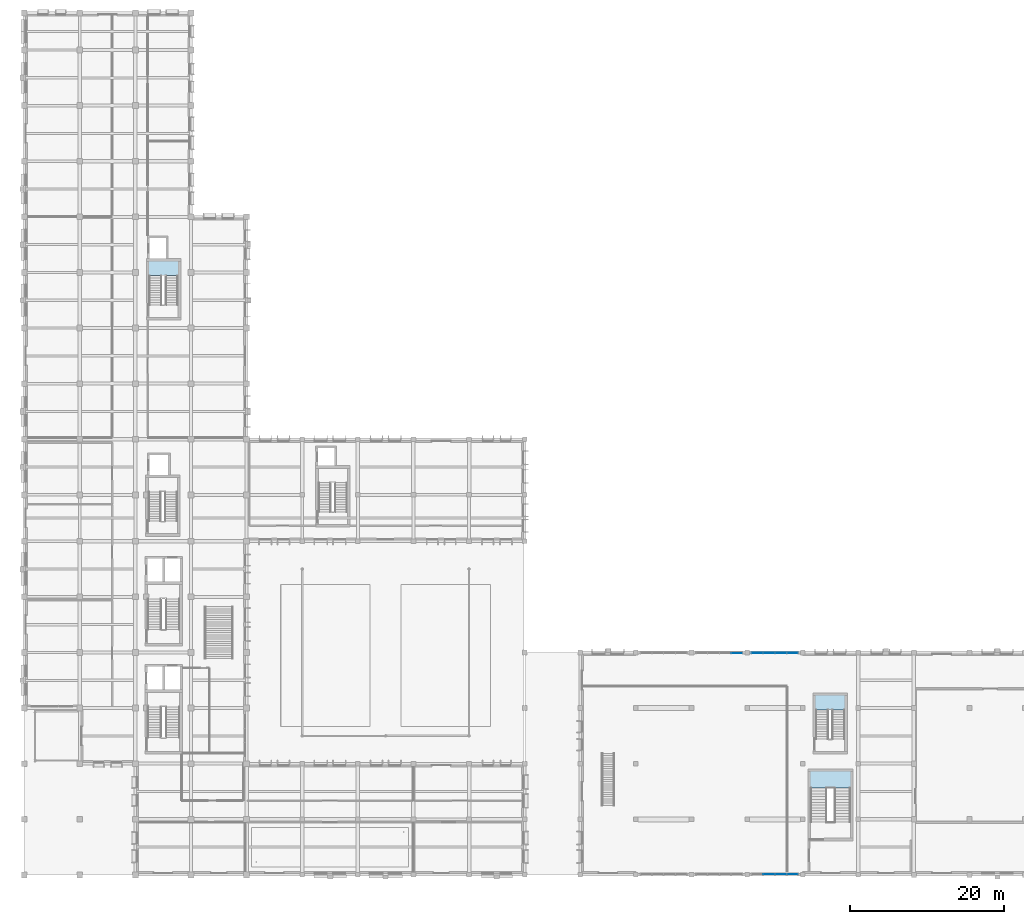
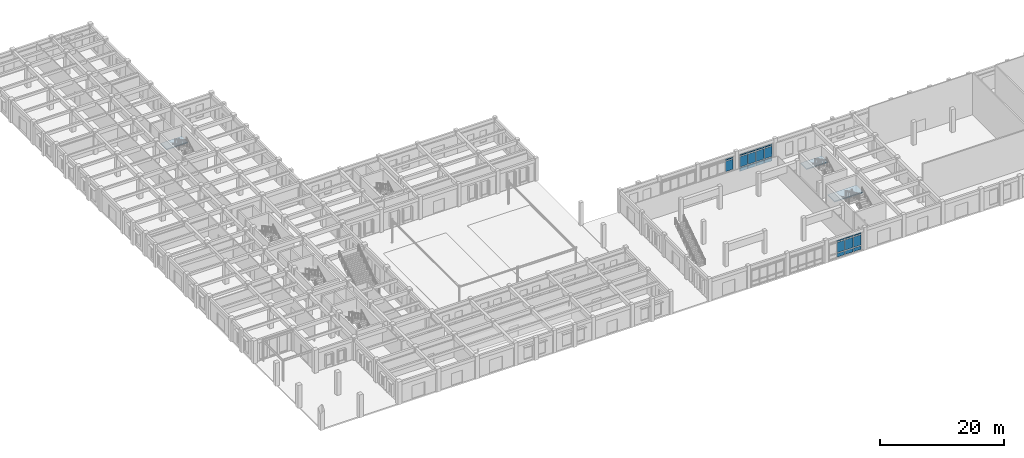
# One storey, part 17 of 43: 23 plates, 3 slabs, 6 elements without a shape of their own.
"""IFC4 building model written with IfcOpenShell, lengths in metres."""

import ifcopenshell
import ifcopenshell.guid

model = None  # the IFC model being written
_history = None  # IfcOwnerHistory: only IFC2X3 demands one
_inside = {}  # id of a spatial element -> (the spatial element, [elements in it])
_under = {}  # id of a project, library or spatial element -> (it, [spatial elements below it])
_declared = {}  # id of a project -> (the project, [libraries it declares])
_typed = {}  # id of a type object -> (the type object, [elements of that type])
_made_of = {}  # id of a material, layer set ... -> (it, [elements and type objects made of it])


def new_model(schema):
    """Start an empty IFC model of exactly this schema.

    Asked for "IFC4X3", IfcOpenShell would pick the latest addendum, in which some entities
    have other attributes; the version numbers below select the first issue.
    IFC2X3 requires an IfcOwnerHistory on every rooted entity: one is made here for all.
    """
    global model, _history
    if schema == "IFC4X3":
        model = ifcopenshell.file(schema_version=(4, 3, 0, 0))
    else:
        model = ifcopenshell.file(schema=schema)
    _inside.clear()
    _under.clear()
    _declared.clear()
    _typed.clear()
    _made_of.clear()
    _history = None
    if model.schema == "IFC2X3":
        org = make("IfcOrganization", Name="unknown")
        user = make(
            "IfcPersonAndOrganization",
            ThePerson=make("IfcPerson", FamilyName="unknown"),
            TheOrganization=org,
        )
        app = make(
            "IfcApplication",
            ApplicationDeveloper=org,
            Version="unknown",
            ApplicationFullName="unknown",
            ApplicationIdentifier="unknown",
        )
        _history = make(
            "IfcOwnerHistory",
            OwningUser=user,
            OwningApplication=app,
            ChangeAction="ADDED",
            CreationDate=0,
        )
    return model


def make(cls, **values):
    """One entity of the class cls with the attributes given. An attribute that is None is left unset."""
    return model.create_entity(
        cls, **{name: value for name, value in values.items() if value is not None}
    )


def rooted(cls, **values):
    """An entity with a GlobalId (a new one), such as an element, a storey or a relation."""
    return make(cls, GlobalId=ifcopenshell.guid.new(), OwnerHistory=_history, **values)


def si_unit(unit_type, name, prefix=None):
    """IfcSIUnit, for example si_unit("LENGTHUNIT", "METRE", prefix="MILLI")."""
    return make("IfcSIUnit", UnitType=unit_type, Prefix=prefix, Name=name)


def assignment(units):
    """IfcUnitAssignment: the units of a project."""
    return None if units is None else make("IfcUnitAssignment", Units=units)


def point(xyz):
    """IfcCartesianPoint."""
    return None if xyz is None else make("IfcCartesianPoint", Coordinates=xyz)


def direction(xyz):
    """IfcDirection."""
    return None if xyz is None else make("IfcDirection", DirectionRatios=xyz)


def frame(location, z_axis=None, x_axis=None):
    """IfcAxis2Placement3D, a coordinate frame: its origin and axes. An axis left out is left unset."""
    return make(
        "IfcAxis2Placement3D",
        Location=point(location),
        Axis=direction(z_axis),
        RefDirection=direction(x_axis),
    )


def frame_2d(location, x_axis=None):
    """IfcAxis2Placement2D, a coordinate frame in the plane: its origin and x axis."""
    return make(
        "IfcAxis2Placement2D", Location=point(location), RefDirection=direction(x_axis)
    )


def origin():
    """The frame at (0, 0, 0) with its axes left unset."""
    return frame((0.0, 0.0, 0.0))


def origin_2d():
    """The frame at (0, 0) in the plane with its x axis left unset."""
    return frame_2d((0.0, 0.0))


def place(relative_to, where):
    """IfcLocalPlacement: puts the frame where relative to a parent placement (None: the world)."""
    return make(
        "IfcLocalPlacement", PlacementRelTo=relative_to, RelativePlacement=where
    )


def context(
    kind, dimensions, precision=None, world=None, true_north=None, identifier=None
):
    """IfcGeometricRepresentationContext, for example the 3D "Model" context."""
    return make(
        "IfcGeometricRepresentationContext",
        ContextIdentifier=identifier,
        ContextType=kind,
        CoordinateSpaceDimension=dimensions,
        Precision=precision,
        WorldCoordinateSystem=world,
        TrueNorth=true_north,
    )


def subcontext(parent, identifier, kind, view, scale=None):
    """IfcGeometricRepresentationSubContext, for example "Body" below "Model"."""
    return make(
        "IfcGeometricRepresentationSubContext",
        ContextIdentifier=identifier,
        ContextType=kind,
        ParentContext=parent,
        TargetScale=scale,
        TargetView=view,
    )


def project(units=None, contexts=None):
    """IfcProject with its units and contexts."""
    return rooted(
        "IfcProject",
        Name="project",
        RepresentationContexts=contexts,
        UnitsInContext=assignment(units),
    )


def spatial(cls, under=None, at=None, **own):
    """A site, building, storey or space (cls), placed at a placement, below another one or the project."""
    s = rooted(cls, ObjectPlacement=at, **own)
    if under is not None:
        _under.setdefault(under.id(), (under, []))[1].append(s)
    return s


def polyline(points):
    """IfcPolyline through the points."""
    return make("IfcPolyline", Points=[point(p) for p in points])


def profile(cls, at=None, kind="AREA", **sizes):
    """A parametric profile (cls). Its sizes go by their IFC names, for example OverallWidth=200.0."""
    return make(cls, ProfileType=kind, Position=at, **sizes)


def rectangle(**sizes):
    """IfcRectangleProfileDef."""
    return profile("IfcRectangleProfileDef", **sizes)


def outline(outer, holes=None, kind="AREA"):
    """IfcArbitraryClosedProfileDef: a profile drawn as a closed curve; with holes, ...WithVoids."""
    if holes is None:
        return make("IfcArbitraryClosedProfileDef", ProfileType=kind, OuterCurve=outer)
    return make(
        "IfcArbitraryProfileDefWithVoids",
        ProfileType=kind,
        OuterCurve=outer,
        InnerCurves=holes,
    )


def extrude(swept, where, along, depth):
    """IfcExtrudedAreaSolid: the profile swept, set in the frame where, extruded along a direction by depth."""
    return make(
        "IfcExtrudedAreaSolid",
        SweptArea=swept,
        Position=where,
        ExtrudedDirection=direction(along),
        Depth=depth,
    )


def shape(context_of_items, identifier, shape_type, items):
    """IfcShapeRepresentation: the items that make up one representation, for example the "Body"."""
    return make(
        "IfcShapeRepresentation",
        ContextOfItems=context_of_items,
        RepresentationIdentifier=identifier,
        RepresentationType=shape_type,
        Items=items,
    )


def material(Name=None, Category=None):
    """IfcMaterial."""
    return make("IfcMaterial", Name=Name, Category=Category)


def layer(
    of_material, thickness, ventilated=None, Name=None, Category=None, Priority=None
):
    """IfcMaterialLayer: one layer of a wall or slab, of a material (None: an air gap)."""
    return make(
        "IfcMaterialLayer",
        Material=of_material,
        LayerThickness=thickness,
        IsVentilated=ventilated,
        Name=Name,
        Category=Category,
        Priority=Priority,
    )


def layer_set(layers, Name=None):
    """IfcMaterialLayerSet."""
    return make("IfcMaterialLayerSet", MaterialLayers=layers, LayerSetName=Name)


def made_of(thing, what):
    """Note that an element or type object is made of a material, layer set ...; save() writes the relation."""
    if what is not None:
        _made_of.setdefault(what.id(), (what, []))[1].append(thing)
    return thing


def type_object(cls, material=None, **own):
    """A type object (cls), such as IfcWallType, which elements share."""
    return made_of(rooted(cls, **own), material)


def element(
    cls,
    number,
    at=None,
    inside=None,
    cuts=None,
    type_object=None,
    material=None,
    context=None,
    identifier="Body",
    shape_type=None,
    held_by="IfcProductDefinitionShape",
    body=None,
    shapes=None,
    **own,
):
    """One element of the class cls, such as IfcWall. Its Tag is "e" and its number.

    at: its placement. inside: the storey or other place that contains it. cuts: it is an
    opening in that element (IfcRelVoidsElement). A single representation is given by context,
    identifier, shape_type and body (its items); several are given by shapes. held_by: the class
    of the entity that holds the representations. save() writes the other relations.
    """
    e = rooted(cls, Tag="e%d" % number, ObjectPlacement=at, **own)
    if body is not None:
        shapes = [shape(context, identifier, shape_type, body)]
    if shapes is not None:
        e.Representation = make(held_by, Representations=shapes)
    if inside is not None:
        _inside.setdefault(inside.id(), (inside, []))[1].append(e)
    if cuts is not None:
        rooted(
            "IfcRelVoidsElement", RelatingBuildingElement=cuts, RelatedOpeningElement=e
        )
    if type_object is not None:
        _typed.setdefault(type_object.id(), (type_object, []))[1].append(e)
    return made_of(e, material)


def aggregate(whole, parts):
    """IfcRelAggregates: a whole, such as a stair, and the parts it consists of."""
    return rooted("IfcRelAggregates", RelatingObject=whole, RelatedObjects=parts)


def save(model, path):
    """Write the relations noted so far, then the file.

    IfcRelAggregates (storeys below a building ...), IfcRelContainedInSpatialStructure (elements
    in a storey), IfcRelDefinesByType, IfcRelAssociatesMaterial and IfcRelDeclares: one each for
    every whole, place, type object, material and project.
    """
    for whole, parts in _under.values():
        aggregate(whole, parts)
    for where, things in _inside.values():
        rooted(
            "IfcRelContainedInSpatialStructure",
            RelatedElements=things,
            RelatingStructure=where,
        )
    for kind, things in _typed.values():
        rooted("IfcRelDefinesByType", RelatedObjects=things, RelatingType=kind)
    for what, things in _made_of.values():
        rooted("IfcRelAssociatesMaterial", RelatedObjects=things, RelatingMaterial=what)
    for by, libraries in _declared.values():
        rooted("IfcRelDeclares", RelatingContext=by, RelatedDefinitions=libraries)
    model.write(path)


model = new_model("IFC4")

# Units and contexts
model_context = context("Model", 3, precision=1e-05, world=origin(), true_north=direction((0.0, 1.0)))
body_context = subcontext(model_context, "Body", "Model", "MODEL_VIEW")
ifc_project = project(units=[si_unit("LENGTHUNIT", "METRE"), si_unit("AREAUNIT", "SQUARE_METRE"), si_unit("VOLUMEUNIT", "CUBIC_METRE"), si_unit("PLANEANGLEUNIT", "RADIAN"), si_unit("MASSUNIT", "GRAM", prefix="KILO")], contexts=[model_context])

# Site, building, storey
site_placement = place(None, origin())
site = spatial("IfcSite", under=ifc_project, at=site_placement, CompositionType="ELEMENT")
building_placement = place(site_placement, origin())
building = spatial("IfcBuilding", under=site, at=building_placement, Name="Alvorim Cloister Faculty of Sciences", CompositionType="ELEMENT")
storey_placement = place(building_placement, origin())
storey = spatial("IfcBuildingStorey", under=building, at=storey_placement, Name="L00", CompositionType="ELEMENT", Elevation=0.0)

# Curtain wall, plates
ifc_material_1 = material(Name="Aluminium and Low-E Glass Curtain Wall", Category="aluminium")
curtain_wall_type = type_object("IfcCurtainWallType", Name="CW-GLZ-6120x3630", PredefinedType="USERDEFINED", material=ifc_material_1)
curtain_wall_1_placement = place(storey_placement, origin())
curtain_wall_1 = element("IfcCurtainWall", 1, at=curtain_wall_1_placement, inside=storey, type_object=curtain_wall_type, Name="L00 Entrance and Atrium Glazed Curtain Wall CW-0001", ObjectType="UNITISED CURTAIN WALL", PredefinedType="USERDEFINED")
ifc_material_2 = material(Name="Double Low-E Laminated Glass", Category="glass")
ifc_layer_1 = layer(ifc_material_2, 0.031982421875)
ifc_layer_set_1 = layer_set([ifc_layer_1], Name="Double Low-E Laminated Glass")
plate_type_1 = type_object("IfcPlateType", Name="PN-GLZ-32", PredefinedType="CURTAIN_PANEL", material=ifc_layer_set_1)
plate_1_placement = place(storey_placement, frame((96.43505859375, 0.090087890625, 0.159912109375), z_axis=(0.0, 0.0, 1.0), x_axis=(1.0, 0.0, 0.0)))
plate_1 = element("IfcPlate", 2, at=plate_1_placement, type_object=plate_type_1, Name="CW-01 panel 2.1", PredefinedType="CURTAIN_PANEL", context=body_context, shape_type="SweptSolid", body=[
    extrude(rectangle(XDim=1.455078125, YDim=0.031982421875, at=origin_2d()), origin(), (0.0, 0.0, 1.0), 0.7099609375),
])
plate_2_placement = place(storey_placement, frame((96.43505859375, 0.090087890625, 1.030029296875), z_axis=(0.0, 0.0, 1.0), x_axis=(1.0, 0.0, 0.0)))
plate_2 = element("IfcPlate", 3, at=plate_2_placement, type_object=plate_type_1, Name="CW-01 panel 2.2", PredefinedType="CURTAIN_PANEL", context=body_context, shape_type="SweptSolid", body=[
    extrude(rectangle(XDim=1.455078125, YDim=0.031982421875, at=origin_2d()), origin(), (0.0, 0.0, 1.0), 2.02001953125),
])
plate_3_placement = place(storey_placement, frame((96.43505859375, 0.090087890625, 3.2099609375), z_axis=(0.0, 0.0, 1.0), x_axis=(1.0, 0.0, 0.0)))
plate_3 = element("IfcPlate", 4, at=plate_3_placement, type_object=plate_type_1, Name="CW-01 panel 2.3", PredefinedType="CURTAIN_PANEL", context=body_context, shape_type="SweptSolid", body=[
    extrude(rectangle(XDim=1.455078125, YDim=0.031982421875, at=origin_2d()), origin(), (0.0, 0.0, 1.0), 0.260009765625),
])
plate_4_placement = place(storey_placement, frame((97.965087890625, 0.090087890625, 0.159912109375), z_axis=(0.0, 0.0, 1.0), x_axis=(1.0, 0.0, 0.0)))
plate_4 = element("IfcPlate", 5, at=plate_4_placement, type_object=plate_type_1, Name="CW-01 panel 3.1", PredefinedType="CURTAIN_PANEL", context=body_context, shape_type="SweptSolid", body=[
    extrude(rectangle(XDim=1.455078125, YDim=0.031982421875, at=origin_2d()), origin(), (0.0, 0.0, 1.0), 0.7099609375),
])
plate_5_placement = place(storey_placement, frame((97.965087890625, 0.090087890625, 1.030029296875), z_axis=(0.0, 0.0, 1.0), x_axis=(1.0, 0.0, 0.0)))
plate_5 = element("IfcPlate", 6, at=plate_5_placement, type_object=plate_type_1, Name="CW-01 panel 3.2", PredefinedType="CURTAIN_PANEL", context=body_context, shape_type="SweptSolid", body=[
    extrude(rectangle(XDim=1.455078125, YDim=0.031982421875, at=origin_2d()), origin(), (0.0, 0.0, 1.0), 2.02001953125),
])
plate_6_placement = place(storey_placement, frame((97.965087890625, 0.090087890625, 3.2099609375), z_axis=(0.0, 0.0, 1.0), x_axis=(1.0, 0.0, 0.0)))
plate_6 = element("IfcPlate", 7, at=plate_6_placement, type_object=plate_type_1, Name="CW-01 panel 3.3", PredefinedType="CURTAIN_PANEL", context=body_context, shape_type="SweptSolid", body=[
    extrude(rectangle(XDim=1.455078125, YDim=0.031982421875, at=origin_2d()), origin(), (0.0, 0.0, 1.0), 0.260009765625),
])
plate_7_placement = place(storey_placement, frame((99.476318359375, 0.090087890625, 0.159912109375), z_axis=(0.0, 0.0, 1.0), x_axis=(1.0, 0.0, 0.0)))
plate_7 = element("IfcPlate", 8, at=plate_7_placement, type_object=plate_type_1, Name="CW-01 panel 4.1", PredefinedType="CURTAIN_PANEL", context=body_context, shape_type="SweptSolid", body=[
    extrude(rectangle(XDim=1.41748046875, YDim=0.031982421875, at=origin_2d()), origin(), (0.0, 0.0, 1.0), 0.7099609375),
])
plate_8_placement = place(storey_placement, frame((99.476318359375, 0.090087890625, 1.030029296875), z_axis=(0.0, 0.0, 1.0), x_axis=(1.0, 0.0, 0.0)))
plate_8 = element("IfcPlate", 9, at=plate_8_placement, type_object=plate_type_1, Name="CW-01 panel 4.2", PredefinedType="CURTAIN_PANEL", context=body_context, shape_type="SweptSolid", body=[
    extrude(rectangle(XDim=1.41748046875, YDim=0.031982421875, at=origin_2d()), origin(), (0.0, 0.0, 1.0), 2.02001953125),
])
plate_9_placement = place(storey_placement, frame((99.476318359375, 0.090087890625, 3.2099609375), z_axis=(0.0, 0.0, 1.0), x_axis=(1.0, 0.0, 0.0)))
plate_9 = element("IfcPlate", 10, at=plate_9_placement, type_object=plate_type_1, Name="CW-01 panel 4.3", PredefinedType="CURTAIN_PANEL", context=body_context, shape_type="SweptSolid", body=[
    extrude(rectangle(XDim=1.41748046875, YDim=0.031982421875, at=origin_2d()), origin(), (0.0, 0.0, 1.0), 0.260009765625),
])
aggregate(curtain_wall_1, [plate_1, plate_2, plate_3, plate_4, plate_5, plate_6, plate_7, plate_8, plate_9])

curtain_wall_2_placement = place(storey_placement, origin())
curtain_wall_2 = element("IfcCurtainWall", 11, at=curtain_wall_2_placement, inside=storey, type_object=curtain_wall_type, Name="L00 Entrance and Atrium Glazed Curtain Wall CW-0005", ObjectType="UNITISED CURTAIN WALL", PredefinedType="USERDEFINED")
plate_10_placement = place(storey_placement, frame((92.2763671875, 28.7099609375, 1.030029296875), z_axis=(0.0, 0.0, 1.0), x_axis=(1.0, 0.0, 0.0)))
plate_10 = element("IfcPlate", 12, at=plate_10_placement, type_object=plate_type_1, Name="CW-01 panel 4.2", PredefinedType="CURTAIN_PANEL", context=body_context, shape_type="SweptSolid", body=[
    extrude(rectangle(XDim=1.41748046875, YDim=0.031982421875, at=origin_2d()), origin(), (0.0, 0.0, 1.0), 2.02001953125),
])
plate_11_placement = place(storey_placement, frame((92.2763671875, 28.7099609375, 3.2099609375), z_axis=(0.0, 0.0, 1.0), x_axis=(1.0, 0.0, 0.0)))
plate_11 = element("IfcPlate", 13, at=plate_11_placement, type_object=plate_type_1, Name="CW-01 panel 4.3", PredefinedType="CURTAIN_PANEL", context=body_context, shape_type="SweptSolid", body=[
    extrude(rectangle(XDim=1.41748046875, YDim=0.031982421875, at=origin_2d()), origin(), (0.0, 0.0, 1.0), 0.260009765625),
])
aggregate(curtain_wall_2, [plate_10, plate_11])

curtain_wall_3_placement = place(storey_placement, origin())
curtain_wall_3 = element("IfcCurtainWall", 14, at=curtain_wall_3_placement, inside=storey, type_object=curtain_wall_type, Name="L00 Entrance and Atrium Glazed Curtain Wall CW-0006", ObjectType="UNITISED CURTAIN WALL", PredefinedType="USERDEFINED")
ifc_layer_2 = layer(ifc_material_2, 0.0400390625)
ifc_layer_set_2 = layer_set([ifc_layer_2], Name="Double Low-E Laminated Glass")
plate_type_2 = type_object("IfcPlateType", Name="PN-GLZ-40", PredefinedType="CURTAIN_PANEL", material=ifc_layer_set_2)
plate_12_placement = place(storey_placement, frame((94.923828125, 28.7099609375, 0.159912109375), z_axis=(0.0, 0.0, 1.0), x_axis=(1.0, 0.0, 0.0)))
plate_12 = element("IfcPlate", 15, at=plate_12_placement, type_object=plate_type_2, Name="CW-01 panel 1.1", PredefinedType="CURTAIN_PANEL", context=body_context, shape_type="SweptSolid", body=[
    extrude(rectangle(XDim=1.41748046875, YDim=0.0400390625, at=origin_2d()), origin(), (0.0, 0.0, 1.0), 0.7099609375),
])
plate_13_placement = place(storey_placement, frame((94.923828125, 28.7099609375, 1.030029296875), z_axis=(0.0, 0.0, 1.0), x_axis=(1.0, 0.0, 0.0)))
plate_13 = element("IfcPlate", 16, at=plate_13_placement, type_object=plate_type_2, Name="CW-01 panel 1.2", PredefinedType="CURTAIN_PANEL", context=body_context, shape_type="SweptSolid", body=[
    extrude(rectangle(XDim=1.41748046875, YDim=0.0400390625, at=origin_2d()), origin(), (0.0, 0.0, 1.0), 2.02001953125),
])
plate_14_placement = place(storey_placement, frame((94.923828125, 28.7099609375, 3.2099609375), z_axis=(0.0, 0.0, 1.0), x_axis=(1.0, 0.0, 0.0)))
plate_14 = element("IfcPlate", 17, at=plate_14_placement, type_object=plate_type_2, Name="CW-01 panel 1.3", PredefinedType="CURTAIN_PANEL", context=body_context, shape_type="SweptSolid", body=[
    extrude(rectangle(XDim=1.41748046875, YDim=0.0400390625, at=origin_2d()), origin(), (0.0, 0.0, 1.0), 0.260009765625),
])
plate_15_placement = place(storey_placement, frame((96.43505859375, 28.7099609375, 0.159912109375), z_axis=(0.0, 0.0, 1.0), x_axis=(1.0, 0.0, 0.0)))
plate_15 = element("IfcPlate", 18, at=plate_15_placement, type_object=plate_type_2, Name="CW-01 panel 2.1", PredefinedType="CURTAIN_PANEL", context=body_context, shape_type="SweptSolid", body=[
    extrude(rectangle(XDim=1.455078125, YDim=0.0400390625, at=origin_2d()), origin(), (0.0, 0.0, 1.0), 0.7099609375),
])
plate_16_placement = place(storey_placement, frame((96.43505859375, 28.7099609375, 1.030029296875), z_axis=(0.0, 0.0, 1.0), x_axis=(1.0, 0.0, 0.0)))
plate_16 = element("IfcPlate", 19, at=plate_16_placement, type_object=plate_type_2, Name="CW-01 panel 2.2", PredefinedType="CURTAIN_PANEL", context=body_context, shape_type="SweptSolid", body=[
    extrude(rectangle(XDim=1.455078125, YDim=0.0400390625, at=origin_2d()), origin(), (0.0, 0.0, 1.0), 2.02001953125),
])
plate_17_placement = place(storey_placement, frame((96.43505859375, 28.7099609375, 3.2099609375), z_axis=(0.0, 0.0, 1.0), x_axis=(1.0, 0.0, 0.0)))
plate_17 = element("IfcPlate", 20, at=plate_17_placement, type_object=plate_type_2, Name="CW-01 panel 2.3", PredefinedType="CURTAIN_PANEL", context=body_context, shape_type="SweptSolid", body=[
    extrude(rectangle(XDim=1.455078125, YDim=0.0400390625, at=origin_2d()), origin(), (0.0, 0.0, 1.0), 0.260009765625),
])
plate_18_placement = place(storey_placement, frame((97.965087890625, 28.7099609375, 0.159912109375), z_axis=(0.0, 0.0, 1.0), x_axis=(1.0, 0.0, 0.0)))
plate_18 = element("IfcPlate", 21, at=plate_18_placement, type_object=plate_type_2, Name="CW-01 panel 3.1", PredefinedType="CURTAIN_PANEL", context=body_context, shape_type="SweptSolid", body=[
    extrude(rectangle(XDim=1.455078125, YDim=0.0400390625, at=origin_2d()), origin(), (0.0, 0.0, 1.0), 0.7099609375),
])
plate_19_placement = place(storey_placement, frame((97.965087890625, 28.7099609375, 1.030029296875), z_axis=(0.0, 0.0, 1.0), x_axis=(1.0, 0.0, 0.0)))
plate_19 = element("IfcPlate", 22, at=plate_19_placement, type_object=plate_type_2, Name="CW-01 panel 3.2", PredefinedType="CURTAIN_PANEL", context=body_context, shape_type="SweptSolid", body=[
    extrude(rectangle(XDim=1.455078125, YDim=0.0400390625, at=origin_2d()), origin(), (0.0, 0.0, 1.0), 2.02001953125),
])
plate_20_placement = place(storey_placement, frame((97.965087890625, 28.7099609375, 3.2099609375), z_axis=(0.0, 0.0, 1.0), x_axis=(1.0, 0.0, 0.0)))
plate_20 = element("IfcPlate", 23, at=plate_20_placement, type_object=plate_type_2, Name="CW-01 panel 3.3", PredefinedType="CURTAIN_PANEL", context=body_context, shape_type="SweptSolid", body=[
    extrude(rectangle(XDim=1.455078125, YDim=0.0400390625, at=origin_2d()), origin(), (0.0, 0.0, 1.0), 0.260009765625),
])
plate_21_placement = place(storey_placement, frame((99.476318359375, 28.7099609375, 0.159912109375), z_axis=(0.0, 0.0, 1.0), x_axis=(1.0, 0.0, 0.0)))
plate_21 = element("IfcPlate", 24, at=plate_21_placement, type_object=plate_type_2, Name="CW-01 panel 4.1", PredefinedType="CURTAIN_PANEL", context=body_context, shape_type="SweptSolid", body=[
    extrude(rectangle(XDim=1.41748046875, YDim=0.0400390625, at=origin_2d()), origin(), (0.0, 0.0, 1.0), 0.7099609375),
])
plate_22_placement = place(storey_placement, frame((99.476318359375, 28.7099609375, 1.030029296875), z_axis=(0.0, 0.0, 1.0), x_axis=(1.0, 0.0, 0.0)))
plate_22 = element("IfcPlate", 25, at=plate_22_placement, type_object=plate_type_2, Name="CW-01 panel 4.2", PredefinedType="CURTAIN_PANEL", context=body_context, shape_type="SweptSolid", body=[
    extrude(rectangle(XDim=1.41748046875, YDim=0.0400390625, at=origin_2d()), origin(), (0.0, 0.0, 1.0), 2.02001953125),
])
plate_23_placement = place(storey_placement, frame((99.476318359375, 28.7099609375, 3.2099609375), z_axis=(0.0, 0.0, 1.0), x_axis=(1.0, 0.0, 0.0)))
plate_23 = element("IfcPlate", 26, at=plate_23_placement, type_object=plate_type_2, Name="CW-01 panel 4.3", PredefinedType="CURTAIN_PANEL", context=body_context, shape_type="SweptSolid", body=[
    extrude(rectangle(XDim=1.41748046875, YDim=0.0400390625, at=origin_2d()), origin(), (0.0, 0.0, 1.0), 0.260009765625),
])
aggregate(curtain_wall_3, [plate_12, plate_13, plate_14, plate_15, plate_16, plate_17, plate_18, plate_19, plate_20, plate_21, plate_22, plate_23])

# Stair, slab
ifc_material_3 = material(Name="Concrete C40", Category="concrete")
stair_type_1 = type_object("IfcStairType", Name="STR-ST-05-1600x4500", PredefinedType="HALF_TURN_STAIR", material=ifc_material_3)
stair_1_placement = place(storey_placement, origin())
stair_1 = element("IfcStair", 27, at=stair_1_placement, inside=storey, type_object=stair_type_1, Name="L00 Enclosed Smoke-Proof Stair ST-05", PredefinedType="HALF_TURN_STAIR")
ifc_layer_3 = layer(ifc_material_3, 0.199951171875)
ifc_layer_set_3 = layer_set([ifc_layer_3], Name="Concrete C40")
slab_type = type_object("IfcSlabType", Name="SL-LAND-200", PredefinedType="LANDING", material=ifc_layer_set_3)
slab_1_placement = place(storey_placement, frame((0.0, 0.0, 2.050048828125)))
slab_1 = element("IfcSlab", 28, at=slab_1_placement, type_object=slab_type, Name="ST-05 landing 1", PredefinedType="LANDING", context=body_context, shape_type="SweptSolid", body=[
    extrude(outline(polyline([(20.0400390625, 77.580078125), (20.0400390625, 79.52001953125), (16.080078125, 79.52001953125), (16.080078125, 77.580078125), (20.0400390625, 77.580078125)])), origin(), (0.0, 0.0, 1.0), 0.199951171875),
])
aggregate(stair_1, [slab_1])

stair_type_2 = type_object("IfcStairType", Name="STR-ST-06-1600x4500", PredefinedType="HALF_TURN_STAIR", material=ifc_material_3)
stair_2_placement = place(storey_placement, origin())
stair_2 = element("IfcStair", 29, at=stair_2_placement, inside=storey, type_object=stair_type_2, Name="L00 Enclosed Smoke-Proof Stair ST-06", PredefinedType="HALF_TURN_STAIR")
slab_2_placement = place(storey_placement, frame((0.0, 0.0, 2.050048828125)))
slab_2 = element("IfcSlab", 30, at=slab_2_placement, type_object=slab_type, Name="ST-06 landing 1", PredefinedType="LANDING", context=body_context, shape_type="SweptSolid", body=[
    extrude(outline(polyline([(106.340087890625, 21.3798828125), (106.340087890625, 23.320068359375), (102.3798828125, 23.320068359375), (102.3798828125, 21.3798828125), (106.340087890625, 21.3798828125)])), origin(), (0.0, 0.0, 1.0), 0.199951171875),
])
aggregate(stair_2, [slab_2])

stair_type_3 = type_object("IfcStairType", Name="STR-ST-12-2050x4500", PredefinedType="HALF_TURN_STAIR", material=ifc_material_3)
stair_3_placement = place(storey_placement, origin())
stair_3 = element("IfcStair", 31, at=stair_3_placement, inside=storey, type_object=stair_type_3, Name="L00 Enclosed Smoke-Proof Stair ST-12", PredefinedType="HALF_TURN_STAIR")
slab_3_placement = place(storey_placement, frame((0.0, 0.0, 2.050048828125)))
slab_3 = element("IfcSlab", 32, at=slab_3_placement, type_object=slab_type, Name="ST-12 landing 1", PredefinedType="LANDING", context=body_context, shape_type="SweptSolid", body=[
    extrude(outline(polyline([(107.080078125, 11.22998046875), (107.080078125, 13.469970703125), (101.719970703125, 13.469970703125), (101.719970703125, 11.22998046875), (107.080078125, 11.22998046875)])), origin(), (0.0, 0.0, 1.0), 0.199951171875),
])
aggregate(stair_3, [slab_3])

save(model, "model.ifc")
